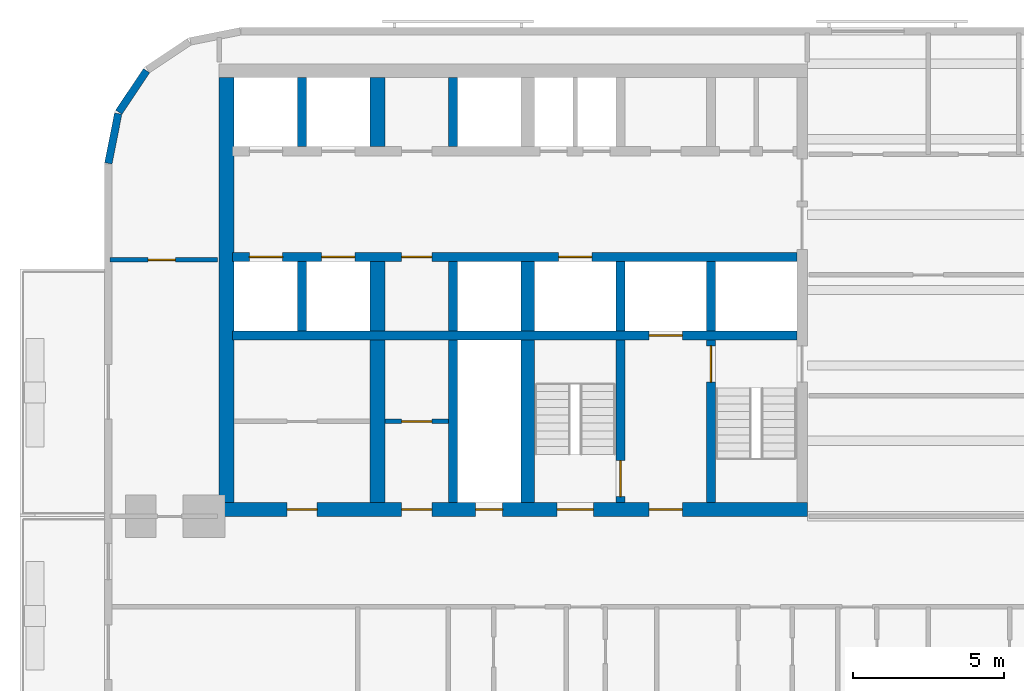
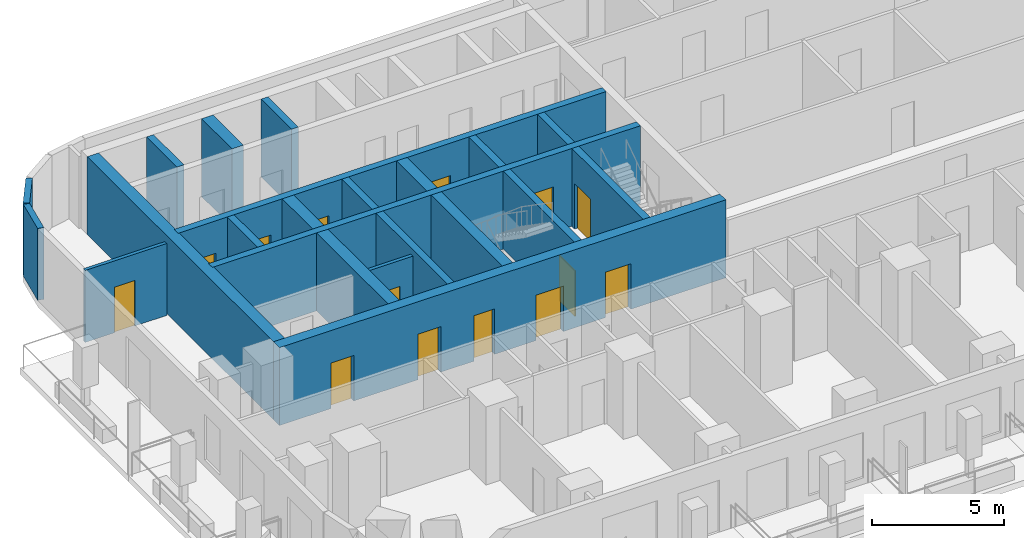
# One storey, part 3 of 15: 22 walls, 14 doors, 14 openings.
"""IFC4 building model written with IfcOpenShell, lengths in metres."""

from ifc_helpers import new_model, si_unit, direction, frame, frame_2d, origin, place, context, subcontext, project, spatial, rectangle, extrude, material, layer, layer_set, type_object, element, fill, save


model = new_model("IFC4")

# Units and contexts
model_context = context("Model", 3, precision=1e-05, world=origin(), true_north=direction((0.0, 1.0)))
body_context = subcontext(model_context, "Body", "Model", "MODEL_VIEW")
ifc_project = project(units=[si_unit("LENGTHUNIT", "METRE"), si_unit("AREAUNIT", "SQUARE_METRE"), si_unit("VOLUMEUNIT", "CUBIC_METRE"), si_unit("PLANEANGLEUNIT", "RADIAN"), si_unit("MASSUNIT", "GRAM", prefix="KILO")], contexts=[model_context])

# Site, building, storey
site_placement = place(None, origin())
site = spatial("IfcSite", under=ifc_project, at=site_placement, CompositionType="ELEMENT")
building_placement = place(site_placement, origin())
building = spatial("IfcBuilding", under=site, at=building_placement, Name="Torana Hotel and Residences", CompositionType="ELEMENT")
storey_placement = place(building_placement, frame((0.0, 0.0, 70.800048828125)))
storey = spatial("IfcBuildingStorey", under=building, at=storey_placement, Name="L17", CompositionType="ELEMENT", Elevation=70.800048828125)

# Wall, openings, doors
ifc_material_1 = material(Name="Concrete C80/95", Category="concrete")
ifc_layer_1 = layer(ifc_material_1, 0.300048828125)
ifc_layer_set_1 = layer_set([ifc_layer_1], Name="CORE WALL 300 C80/95")
wall_type_1 = type_object("IfcWallType", Name="CORE WALL 300 C80/95", PredefinedType="SHEAR", material=ifc_layer_set_1)
wall_1_placement = place(storey_placement, frame((-29.050048828125, -6.39990234375, 0.0), z_axis=(0.0, 0.0, 1.0), x_axis=(1.0, 0.0, 0.0)))
wall_1 = element("IfcWall", 1, at=wall_1_placement, inside=storey, type_object=wall_type_1, Name="Core wall W row-S", PredefinedType="SHEAR", context=body_context, shape_type="SweptSolid", body=[
    extrude(rectangle(XDim=18.699951171875, YDim=0.300048828125, at=frame_2d((9.35009765625, 0.0))), origin(), (0.0, 0.0, 1.0), 3.599853515625),
])
opening_1_placement = place(wall_1_placement, frame((2.949951171875, 0.0, 0.0)))
opening_1 = element("IfcOpeningElement", 2, at=opening_1_placement, cuts=wall_1, Name="Opening LD", PredefinedType="OPENING", context=body_context, shape_type="SweptSolid", body=[
    extrude(rectangle(XDim=1.10009765625, YDim=2.10009765625, at=frame_2d((0.550048828125, 1.050048828125))), frame((0.0, 0.159912109375, 0.0), z_axis=(0.0, -1.0, 0.0), x_axis=(1.0, 0.0, 0.0)), (0.0, 0.0, 1.0), 0.320068359375),
])
opening_2_placement = place(wall_1_placement, frame((0.550048828125, 0.0, 0.0)))
opening_2 = element("IfcOpeningElement", 3, at=opening_2_placement, cuts=wall_1, Name="Opening LD", PredefinedType="OPENING", context=body_context, shape_type="SweptSolid", body=[
    extrude(rectangle(XDim=1.10009765625, YDim=2.10009765625, at=frame_2d((0.550048828125, 1.050048828125))), frame((0.0, 0.159912109375, 0.0), z_axis=(0.0, -1.0, 0.0), x_axis=(1.0, 0.0, 0.0)), (0.0, 0.0, 1.0), 0.320068359375),
])
opening_3_placement = place(wall_1_placement, frame((10.800048828125, 0.0, 0.0)))
opening_3 = element("IfcOpeningElement", 4, at=opening_3_placement, cuts=wall_1, Name="Opening LD", PredefinedType="OPENING", context=body_context, shape_type="SweptSolid", body=[
    extrude(rectangle(XDim=1.10009765625, YDim=2.10009765625, at=frame_2d((0.550048828125, 1.050048828125))), frame((0.0, 0.159912109375, 0.0), z_axis=(0.0, -1.0, 0.0), x_axis=(1.0, 0.0, 0.0)), (0.0, 0.0, 1.0), 0.320068359375),
])
opening_4_placement = place(wall_1_placement, frame((5.60009765625, 0.0, 0.0)))
opening_4 = element("IfcOpeningElement", 5, at=opening_4_placement, cuts=wall_1, Name="Opening L17-15", PredefinedType="OPENING", context=body_context, shape_type="SweptSolid", body=[
    extrude(rectangle(XDim=1.0, YDim=2.10009765625, at=frame_2d((0.5, 1.050048828125))), frame((0.0, 0.159912109375, 0.0), z_axis=(0.0, -1.0, 0.0), x_axis=(1.0, 0.0, 0.0)), (0.0, 0.0, 1.0), 0.320068359375),
])
ifc_material_2 = material(Name="Steel S235", Category="steel")
door_type_1 = type_object("IfcDoorType", Name="CORE ROOM FIRE DOOR D14 1000x2100", OperationType="SINGLE_SWING_LEFT", PredefinedType="DOOR", material=ifc_material_2)
door_1_placement = place(opening_4_placement, frame((0.5, 0.0, 0.0), z_axis=(0.0, 0.0, 1.0), x_axis=(-1.0, 0.0, 0.0)))
door_1 = element("IfcDoor", 6, at=door_1_placement, inside=storey, type_object=door_type_1, Name="Free-M2 door L17", OperationType="SINGLE_SWING_LEFT", OverallHeight=2.10009765625, OverallWidth=1.0, PredefinedType="DOOR", context=body_context, shape_type="SweptSolid", body=[
    extrude(rectangle(XDim=1.0, YDim=2.10009765625, at=frame_2d((0.0, 1.050048828125))), frame((0.0, -0.02490234375, 0.0), z_axis=(0.0, 1.0, 0.0), x_axis=(-1.0, 0.0, 0.0)), (0.0, 0.0, 1.0), 0.050048828125),
])
fill(opening_4, door_1)
ifc_material_3 = material(Name="Stainless steel 316", Category="steel")
door_type_2 = type_object("IfcDoorType", Name="LIFT LANDING DOOR LD 1100x2100", OperationType="DOUBLE_DOOR_SLIDING", PredefinedType="USERDEFINED", material=ifc_material_3)
door_2_placement = place(opening_1_placement, origin())
door_2 = element("IfcDoor", 7, at=door_2_placement, inside=storey, type_object=door_type_2, Name="Lift landing door L3 L17", ObjectType="LIFT LANDING DOOR", OperationType="DOUBLE_DOOR_SLIDING", OverallHeight=2.10009765625, OverallWidth=1.10009765625, PredefinedType="USERDEFINED", context=body_context, shape_type="SweptSolid", body=[
    extrude(rectangle(XDim=1.10009765625, YDim=2.10009765625, at=frame_2d((0.550048828125, 1.050048828125))), frame((0.0, 0.02490234375, 0.0), z_axis=(0.0, -1.0, 0.0), x_axis=(1.0, 0.0, 0.0)), (0.0, 0.0, 1.0), 0.050048828125),
])
fill(opening_1, door_2)
door_3_placement = place(opening_2_placement, origin())
door_3 = element("IfcDoor", 8, at=door_3_placement, inside=storey, type_object=door_type_2, Name="Lift landing door L4 L17", ObjectType="LIFT LANDING DOOR", OperationType="DOUBLE_DOOR_SLIDING", OverallHeight=2.10009765625, OverallWidth=1.10009765625, PredefinedType="USERDEFINED", context=body_context, shape_type="SweptSolid", body=[
    extrude(rectangle(XDim=1.10009765625, YDim=2.10009765625, at=frame_2d((0.550048828125, 1.050048828125))), frame((0.0, 0.02490234375, 0.0), z_axis=(0.0, -1.0, 0.0), x_axis=(1.0, 0.0, 0.0)), (0.0, 0.0, 1.0), 0.050048828125),
])
fill(opening_2, door_3)
door_4_placement = place(opening_3_placement, origin())
door_4 = element("IfcDoor", 9, at=door_4_placement, inside=storey, type_object=door_type_2, Name="Lift landing door SV1 L17", ObjectType="LIFT LANDING DOOR", OperationType="DOUBLE_DOOR_SLIDING", OverallHeight=2.10009765625, OverallWidth=1.10009765625, PredefinedType="USERDEFINED", context=body_context, shape_type="SweptSolid", body=[
    extrude(rectangle(XDim=1.10009765625, YDim=2.10009765625, at=frame_2d((0.550048828125, 1.050048828125))), frame((0.0, 0.02490234375, 0.0), z_axis=(0.0, -1.0, 0.0), x_axis=(1.0, 0.0, 0.0)), (0.0, 0.0, 1.0), 0.050048828125),
])
fill(opening_3, door_4)

# Wall, opening, door
wall_2_placement = place(storey_placement, frame((-29.050048828125, -9.0, 0.0), z_axis=(0.0, 0.0, 1.0), x_axis=(1.0, 0.0, 0.0)))
wall_2 = element("IfcWall", 10, at=wall_2_placement, inside=storey, type_object=wall_type_1, Name="Core wall W band", PredefinedType="SHEAR", context=body_context, shape_type="SweptSolid", body=[
    extrude(rectangle(XDim=18.699951171875, YDim=0.300048828125, at=frame_2d((9.35009765625, 0.0))), origin(), (0.0, 0.0, 1.0), 3.599853515625),
])
opening_5_placement = place(wall_2_placement, frame((13.800048828125, 0.0, 0.0)))
opening_5 = element("IfcOpeningElement", 11, at=opening_5_placement, cuts=wall_2, Name="Opening LD", PredefinedType="OPENING", context=body_context, shape_type="SweptSolid", body=[
    extrude(rectangle(XDim=1.10009765625, YDim=2.10009765625, at=frame_2d((0.550048828125, 1.050048828125))), frame((0.0, 0.159912109375, 0.0), z_axis=(0.0, -1.0, 0.0), x_axis=(1.0, 0.0, 0.0)), (0.0, 0.0, 1.0), 0.320068359375),
])
door_5_placement = place(opening_5_placement, origin())
door_5 = element("IfcDoor", 12, at=door_5_placement, inside=storey, type_object=door_type_2, Name="Lift landing door FF1 L17", ObjectType="LIFT LANDING DOOR", OperationType="DOUBLE_DOOR_SLIDING", OverallHeight=2.10009765625, OverallWidth=1.10009765625, PredefinedType="USERDEFINED", context=body_context, shape_type="SweptSolid", body=[
    extrude(rectangle(XDim=1.10009765625, YDim=2.10009765625, at=frame_2d((0.550048828125, 1.050048828125))), frame((0.0, 0.02490234375, 0.0), z_axis=(0.0, -1.0, 0.0), x_axis=(1.0, 0.0, 0.0)), (0.0, 0.0, 1.0), 0.050048828125),
])
fill(opening_5, door_5)

# Wall
wall_3_placement = place(storey_placement, frame((-13.199951171875, -8.85009765625, 0.0), z_axis=(0.0, 0.0, 1.0), x_axis=(0.0, 1.0, 0.0)))
element("IfcWall", 13, at=wall_3_placement, inside=storey, type_object=wall_type_1, Name="Core wall W x3.05-S", PredefinedType="SHEAR", context=body_context, shape_type="SweptSolid", body=[
    extrude(rectangle(XDim=2.300048828125, YDim=0.300048828125, at=frame_2d((1.14990234375, 0.0))), origin(), (0.0, 0.0, 1.0), 3.599853515625),
])

# Wall, opening, door
wall_4_placement = place(storey_placement, frame((-13.199951171875, -14.550048828125, 0.0), z_axis=(0.0, 0.0, 1.0), x_axis=(0.0, 1.0, 0.0)))
wall_4 = element("IfcWall", 14, at=wall_4_placement, inside=storey, type_object=wall_type_1, Name="Core wall W x3.05-band", PredefinedType="SHEAR", context=body_context, shape_type="SweptSolid", body=[
    extrude(rectangle(XDim=5.400146484375, YDim=0.300048828125, at=frame_2d((2.7001953125, 0.0))), origin(), (0.0, 0.0, 1.0), 3.599853515625),
])
opening_6_placement = place(wall_4_placement, frame((4.0, 0.0, 0.0)))
opening_6 = element("IfcOpeningElement", 15, at=opening_6_placement, cuts=wall_4, Name="Opening L17-16", PredefinedType="OPENING", context=body_context, shape_type="SweptSolid", body=[
    extrude(rectangle(XDim=1.199951171875, YDim=2.10009765625, at=frame_2d((0.60009765625, 1.050048828125))), frame((0.0, 0.159912109375, 0.0), z_axis=(0.0, -1.0, 0.0), x_axis=(1.0, 0.0, 0.0)), (0.0, 0.0, 1.0), 0.320068359375),
])
ifc_material_4 = material(Name="Steel S235", Category="steel")
door_type_3 = type_object("IfcDoorType", Name="STAIR FIRE DOOR D3 1200x2100", OperationType="SINGLE_SWING_LEFT", PredefinedType="DOOR", material=ifc_material_4)
door_6_placement = place(opening_6_placement, frame((0.60009765625, 0.0, 0.0), z_axis=(0.0, 0.0, 1.0), x_axis=(-1.0, 0.0, 0.0)))
door_6 = element("IfcDoor", 16, at=door_6_placement, inside=storey, type_object=door_type_3, Name="Stair-A-lobby door L17", OperationType="SINGLE_SWING_RIGHT", OverallHeight=2.10009765625, OverallWidth=1.199951171875, PredefinedType="DOOR", context=body_context, shape_type="SweptSolid", body=[
    extrude(rectangle(XDim=1.199951171875, YDim=2.10009765625, at=frame_2d((0.0, 1.050048828125))), frame((0.0, -0.02490234375, 0.0), z_axis=(0.0, 1.0, 0.0), x_axis=(-1.0, 0.0, 0.0)), (0.0, 0.0, 1.0), 0.050048828125),
])
fill(opening_6, door_6)

# Wall
wall_5_placement = place(storey_placement, frame((-16.199951171875, -8.85009765625, 0.0), z_axis=(0.0, 0.0, 1.0), x_axis=(0.0, 1.0, 0.0)))
element("IfcWall", 17, at=wall_5_placement, inside=storey, type_object=wall_type_1, Name="Core wall W x6.05-S", PredefinedType="SHEAR", context=body_context, shape_type="SweptSolid", body=[
    extrude(rectangle(XDim=2.300048828125, YDim=0.300048828125, at=frame_2d((1.14990234375, 0.0))), origin(), (0.0, 0.0, 1.0), 3.599853515625),
])

# Wall, opening, door
wall_6_placement = place(storey_placement, frame((-16.199951171875, -14.550048828125, 0.0), z_axis=(0.0, 0.0, 1.0), x_axis=(0.0, 1.0, 0.0)))
wall_6 = element("IfcWall", 18, at=wall_6_placement, inside=storey, type_object=wall_type_1, Name="Core wall W x6.05-band", PredefinedType="SHEAR", context=body_context, shape_type="SweptSolid", body=[
    extrude(rectangle(XDim=5.400146484375, YDim=0.300048828125, at=frame_2d((2.7001953125, 0.0))), origin(), (0.0, 0.0, 1.0), 3.599853515625),
])
opening_7_placement = place(wall_6_placement, frame((0.199951171875, 0.0, 0.0)))
opening_7 = element("IfcOpeningElement", 19, at=opening_7_placement, cuts=wall_6, Name="Opening L17-17", PredefinedType="OPENING", context=body_context, shape_type="SweptSolid", body=[
    extrude(rectangle(XDim=1.199951171875, YDim=2.10009765625, at=frame_2d((0.60009765625, 1.050048828125))), frame((0.0, 0.159912109375, 0.0), z_axis=(0.0, -1.0, 0.0), x_axis=(1.0, 0.0, 0.0)), (0.0, 0.0, 1.0), 0.320068359375),
])
door_7_placement = place(opening_7_placement, origin())
door_7 = element("IfcDoor", 20, at=door_7_placement, inside=storey, type_object=door_type_3, Name="Stair-B-lobby door L17", OperationType="SINGLE_SWING_RIGHT", OverallHeight=2.10009765625, OverallWidth=1.199951171875, PredefinedType="DOOR", context=body_context, shape_type="SweptSolid", body=[
    extrude(rectangle(XDim=1.199951171875, YDim=2.10009765625, at=frame_2d((0.60009765625, 1.050048828125))), frame((0.0, 0.02490234375, 0.0), z_axis=(0.0, -1.0, 0.0), x_axis=(1.0, 0.0, 0.0)), (0.0, 0.0, 1.0), 0.050048828125),
])
fill(opening_7, door_7)

# Walls
for number, where, z_axis, x_axis, name in (
    (21, (-21.75, -2.75, 0.0), (0.0, 0.0, 1.0), (0.0, 1.0, 0.0), "Core wall W mm-N"),
    (22, (-21.75, -8.85009765625, 0.0), (0.0, 0.0, 1.0), (0.0, 1.0, 0.0), "Core wall W mm-S"),
):
    element("IfcWall", number, at=place(storey_placement, frame(where, z_axis=z_axis, x_axis=x_axis)), inside=storey, type_object=wall_type_1, Name=name, PredefinedType="SHEAR", context=body_context, shape_type="SweptSolid", body=[
        extrude(rectangle(XDim=2.300048828125, YDim=0.300048828125, at=frame_2d((1.14990234375, 0.0))), origin(), (0.0, 0.0, 1.0), 3.599853515625),
    ])
wall_7_placement = place(storey_placement, frame((-21.75, -14.550048828125, 0.0), z_axis=(0.0, 0.0, 1.0), x_axis=(0.0, 1.0, 0.0)))
element("IfcWall", 23, at=wall_7_placement, inside=storey, type_object=wall_type_1, Name="Core wall W mm-band", PredefinedType="SHEAR", context=body_context, shape_type="SweptSolid", body=[
    extrude(rectangle(XDim=5.400146484375, YDim=0.300048828125, at=frame_2d((2.7001953125, 0.0))), origin(), (0.0, 0.0, 1.0), 3.599853515625),
])
for number, where, z_axis, x_axis, name in (
    (24, (-26.75, -2.75, 0.0), (0.0, 0.0, 1.0), (0.0, 1.0, 0.0), "Core wall W ll-N"),
    (25, (-26.75, -8.85009765625, 0.0), (0.0, 0.0, 1.0), (0.0, 1.0, 0.0), "Core wall W ll-S"),
):
    element("IfcWall", number, at=place(storey_placement, frame(where, z_axis=z_axis, x_axis=x_axis)), inside=storey, type_object=wall_type_1, Name=name, PredefinedType="SHEAR", context=body_context, shape_type="SweptSolid", body=[
        extrude(rectangle(XDim=2.300048828125, YDim=0.300048828125, at=frame_2d((1.14990234375, 0.0))), origin(), (0.0, 0.0, 1.0), 3.599853515625),
    ])

# Wall, openings, doors
ifc_material_5 = material(Name="Concrete C80/95", Category="concrete")
ifc_layer_2 = layer(ifc_material_5, 0.449951171875)
ifc_layer_set_2 = layer_set([ifc_layer_2], Name="CORE WALL 450 C80/95")
wall_type_2 = type_object("IfcWallType", Name="CORE WALL 450 C80/95", PredefinedType="SHEAR", material=ifc_layer_set_2)
wall_8_placement = place(storey_placement, frame((-29.5, -14.77490234375, 0.0), z_axis=(0.0, 0.0, 1.0), x_axis=(1.0, 0.0, 0.0)))
wall_8 = element("IfcWall", 26, at=wall_8_placement, inside=storey, type_object=wall_type_2, Name="Core wall W front", PredefinedType="SHEAR", context=body_context, shape_type="SweptSolid", body=[
    extrude(rectangle(XDim=19.5, YDim=0.449951171875, at=frame_2d((9.75, 0.0))), origin(), (0.0, 0.0, 1.0), 3.599853515625),
])
opening_8_placement = place(wall_8_placement, frame((11.199951171875, 0.0, 0.0)))
opening_8 = element("IfcOpeningElement", 27, at=opening_8_placement, cuts=wall_8, Name="Opening L17-04", PredefinedType="OPENING", context=body_context, shape_type="SweptSolid", body=[
    extrude(rectangle(XDim=1.199951171875, YDim=2.10009765625, at=frame_2d((0.60009765625, 1.050048828125))), frame((0.0, 0.23486328125, 0.0), z_axis=(0.0, -1.0, 0.0), x_axis=(1.0, 0.0, 0.0)), (0.0, 0.0, 1.0), 0.469970703125),
])
opening_9_placement = place(wall_8_placement, frame((14.25, 0.0, 0.0)))
opening_9 = element("IfcOpeningElement", 28, at=opening_9_placement, cuts=wall_8, Name="Opening L17-05", PredefinedType="OPENING", context=body_context, shape_type="SweptSolid", body=[
    extrude(rectangle(XDim=1.10009765625, YDim=2.10009765625, at=frame_2d((0.550048828125, 1.050048828125))), frame((0.0, 0.23486328125, 0.0), z_axis=(0.0, -1.0, 0.0), x_axis=(1.0, 0.0, 0.0)), (0.0, 0.0, 1.0), 0.469970703125),
])
opening_10_placement = place(wall_8_placement, frame((8.5, 0.0, 0.0)))
opening_10 = element("IfcOpeningElement", 29, at=opening_10_placement, cuts=wall_8, Name="Opening L17-06", PredefinedType="OPENING", context=body_context, shape_type="SweptSolid", body=[
    extrude(rectangle(XDim=0.89990234375, YDim=2.10009765625, at=frame_2d((0.449951171875, 1.050048828125))), frame((0.0, 0.23486328125, 0.0), z_axis=(0.0, -1.0, 0.0), x_axis=(1.0, 0.0, 0.0)), (0.0, 0.0, 1.0), 0.469970703125),
])
opening_11_placement = place(wall_8_placement, frame((6.050048828125, 0.0, 0.0)))
opening_11 = element("IfcOpeningElement", 30, at=opening_11_placement, cuts=wall_8, Name="Opening L17-07", PredefinedType="OPENING", context=body_context, shape_type="SweptSolid", body=[
    extrude(rectangle(XDim=1.0, YDim=2.10009765625, at=frame_2d((0.5, 1.050048828125))), frame((0.0, 0.23486328125, 0.0), z_axis=(0.0, -1.0, 0.0), x_axis=(1.0, 0.0, 0.0)), (0.0, 0.0, 1.0), 0.469970703125),
])
opening_12_placement = place(wall_8_placement, frame((2.25, 0.0, 0.0)))
opening_12 = element("IfcOpeningElement", 31, at=opening_12_placement, cuts=wall_8, Name="Opening L17-08", PredefinedType="OPENING", context=body_context, shape_type="SweptSolid", body=[
    extrude(rectangle(XDim=1.0, YDim=2.10009765625, at=frame_2d((0.5, 1.050048828125))), frame((0.0, 0.23486328125, 0.0), z_axis=(0.0, -1.0, 0.0), x_axis=(1.0, 0.0, 0.0)), (0.0, 0.0, 1.0), 0.469970703125),
])
door_8_placement = place(opening_11_placement, origin())
door_8 = element("IfcDoor", 32, at=door_8_placement, inside=storey, type_object=door_type_1, Name="M-Room-B door L17", OperationType="SINGLE_SWING_RIGHT", OverallHeight=2.10009765625, OverallWidth=1.0, PredefinedType="DOOR", context=body_context, shape_type="SweptSolid", body=[
    extrude(rectangle(XDim=1.0, YDim=2.10009765625, at=frame_2d((0.5, 1.050048828125))), frame((0.0, 0.02490234375, 0.0), z_axis=(0.0, -1.0, 0.0), x_axis=(1.0, 0.0, 0.0)), (0.0, 0.0, 1.0), 0.050048828125),
])
fill(opening_11, door_8)
door_9_placement = place(opening_12_placement, origin())
door_9 = element("IfcDoor", 33, at=door_9_placement, inside=storey, type_object=door_type_1, Name="L-B door L17", OperationType="SINGLE_SWING_RIGHT", OverallHeight=2.10009765625, OverallWidth=1.0, PredefinedType="DOOR", context=body_context, shape_type="SweptSolid", body=[
    extrude(rectangle(XDim=1.0, YDim=2.10009765625, at=frame_2d((0.5, 1.050048828125))), frame((0.0, 0.02490234375, 0.0), z_axis=(0.0, -1.0, 0.0), x_axis=(1.0, 0.0, 0.0)), (0.0, 0.0, 1.0), 0.050048828125),
])
fill(opening_12, door_9)
ifc_material_6 = material(Name="Steel S235", Category="steel")
door_type_4 = type_object("IfcDoorType", Name="FIRE-FIGHTING LOBBY DOOR D8 1100x2100", OperationType="SINGLE_SWING_LEFT", PredefinedType="DOOR", material=ifc_material_6)
door_10_placement = place(opening_9_placement, origin())
door_10 = element("IfcDoor", 34, at=door_10_placement, inside=storey, type_object=door_type_4, Name="FF-lobby door L17", OperationType="SINGLE_SWING_RIGHT", OverallHeight=2.10009765625, OverallWidth=1.10009765625, PredefinedType="DOOR", context=body_context, shape_type="SweptSolid", body=[
    extrude(rectangle(XDim=1.10009765625, YDim=2.10009765625, at=frame_2d((0.550048828125, 1.050048828125))), frame((0.0, 0.02490234375, 0.0), z_axis=(0.0, -1.0, 0.0), x_axis=(1.0, 0.0, 0.0)), (0.0, 0.0, 1.0), 0.050048828125),
])
fill(opening_9, door_10)
ifc_material_7 = material(Name="Steel S235", Category="steel")
door_type_5 = type_object("IfcDoorType", Name="RISER ACCESS DOOR D5 900x2100", OperationType="SINGLE_SWING_LEFT", PredefinedType="DOOR", material=ifc_material_7)
door_11_placement = place(opening_10_placement, origin())
door_11 = element("IfcDoor", 35, at=door_11_placement, inside=storey, type_object=door_type_5, Name="M-Riser door L17", OperationType="SINGLE_SWING_RIGHT", OverallHeight=2.10009765625, OverallWidth=0.89990234375, PredefinedType="DOOR", context=body_context, shape_type="SweptSolid", body=[
    extrude(rectangle(XDim=0.89990234375, YDim=2.10009765625, at=frame_2d((0.449951171875, 1.050048828125))), frame((0.0, 0.02490234375, 0.0), z_axis=(0.0, -1.0, 0.0), x_axis=(1.0, 0.0, 0.0)), (0.0, 0.0, 1.0), 0.050048828125),
])
fill(opening_10, door_11)
door_12_placement = place(opening_8_placement, origin())
door_12 = element("IfcDoor", 36, at=door_12_placement, inside=storey, type_object=door_type_3, Name="Stair-B door L17", OperationType="SINGLE_SWING_RIGHT", OverallHeight=2.10009765625, OverallWidth=1.199951171875, PredefinedType="DOOR", context=body_context, shape_type="SweptSolid", body=[
    extrude(rectangle(XDim=1.199951171875, YDim=2.10009765625, at=frame_2d((0.60009765625, 1.050048828125))), frame((0.0, 0.02490234375, 0.0), z_axis=(0.0, -1.0, 0.0), x_axis=(1.0, 0.0, 0.0)), (0.0, 0.0, 1.0), 0.050048828125),
])
fill(opening_8, door_12)

# Walls
wall_9_placement = place(storey_placement, frame((-19.27490234375, -8.85009765625, 0.0), z_axis=(0.0, 0.0, 1.0), x_axis=(0.0, 1.0, 0.0)))
element("IfcWall", 37, at=wall_9_placement, inside=storey, type_object=wall_type_2, Name="Core wall W hm-S", PredefinedType="SHEAR", context=body_context, shape_type="SweptSolid", body=[
    extrude(rectangle(XDim=2.300048828125, YDim=0.449951171875, at=frame_2d((1.14990234375, 0.0))), origin(), (0.0, 0.0, 1.0), 3.599853515625),
])
wall_10_placement = place(storey_placement, frame((-19.27490234375, -14.550048828125, 0.0), z_axis=(0.0, 0.0, 1.0), x_axis=(0.0, 1.0, 0.0)))
element("IfcWall", 38, at=wall_10_placement, inside=storey, type_object=wall_type_2, Name="Core wall W hm-band", PredefinedType="SHEAR", context=body_context, shape_type="SweptSolid", body=[
    extrude(rectangle(XDim=5.400146484375, YDim=0.449951171875, at=frame_2d((2.7001953125, 0.0))), origin(), (0.0, 0.0, 1.0), 3.599853515625),
])
ifc_material_8 = material(Name="Concrete C80/95", Category="concrete")
ifc_layer_3 = layer(ifc_material_8, 0.5)
ifc_layer_set_3 = layer_set([ifc_layer_3], Name="CORE WALL 500 C80/95")
wall_type_3 = type_object("IfcWallType", Name="CORE WALL 500 C80/95", PredefinedType="SHEAR", material=ifc_layer_set_3)
wall_11_placement = place(storey_placement, frame((-29.25, -14.550048828125, 0.0), z_axis=(0.0, 0.0, 1.0), x_axis=(0.0, 1.0, 0.0)))
element("IfcWall", 39, at=wall_11_placement, inside=storey, type_object=wall_type_3, Name="Core wall W outer", PredefinedType="SHEAR", context=body_context, shape_type="SweptSolid", body=[
    extrude(rectangle(XDim=14.10009765625, YDim=0.5, at=frame_2d((7.050048828125, 0.0))), origin(), (0.0, 0.0, 1.0), 3.599853515625),
])
for number, where, z_axis, x_axis, name in (
    (40, (-24.25, -2.75, 0.0), (0.0, 0.0, 1.0), (0.0, 1.0, 0.0), "Core wall W ml-N"),
    (41, (-24.25, -8.85009765625, 0.0), (0.0, 0.0, 1.0), (0.0, 1.0, 0.0), "Core wall W ml-S"),
):
    element("IfcWall", number, at=place(storey_placement, frame(where, z_axis=z_axis, x_axis=x_axis)), inside=storey, type_object=wall_type_3, Name=name, PredefinedType="SHEAR", context=body_context, shape_type="SweptSolid", body=[
        extrude(rectangle(XDim=2.300048828125, YDim=0.5, at=frame_2d((1.14990234375, 0.0))), origin(), (0.0, 0.0, 1.0), 3.599853515625),
    ])
wall_12_placement = place(storey_placement, frame((-24.25, -14.550048828125, 0.0), z_axis=(0.0, 0.0, 1.0), x_axis=(0.0, 1.0, 0.0)))
element("IfcWall", 42, at=wall_12_placement, inside=storey, type_object=wall_type_3, Name="Core wall W ml-band", PredefinedType="SHEAR", context=body_context, shape_type="SweptSolid", body=[
    extrude(rectangle(XDim=5.400146484375, YDim=0.5, at=frame_2d((2.7001953125, 0.0))), origin(), (0.0, 0.0, 1.0), 3.599853515625),
])
ifc_material_9 = material(Name="Black aluminium composite panel", Category="aluminium")
ifc_layer_4 = layer(ifc_material_9, 0.00390625, Name="Cladding", Category="cladding")
ifc_material_10 = material(Name="Ventilated air cavity")
ifc_layer_5 = layer(ifc_material_10, 0.0400390625, Name="Ventilated cavity", Category="cavity")
ifc_material_11 = material(Name="Mineral wool insulation")
ifc_layer_6 = layer(ifc_material_11, 0.090087890625, Name="Insulation", Category="insulation")
ifc_material_12 = material(Name="Steel S280GD", Category="steel")
ifc_layer_7 = layer(ifc_material_12, 0.092041015625, Name="Steel stud frame", Category="structure")
ifc_material_13 = material(Name="Fire rated plasterboard")
ifc_layer_8 = layer(ifc_material_13, 0.011962890625, Name="Inner board", Category="finish")
ifc_layer_9 = layer(ifc_material_13, 0.011962890625, Name="Second board", Category="finish")
ifc_layer_set_4 = layer_set([ifc_layer_4, ifc_layer_5, ifc_layer_6, ifc_layer_7, ifc_layer_8, ifc_layer_9], Name="EW1 EXTERNAL WALL BLACK METAL CLAD 250")
wall_type_4 = type_object("IfcWallType", Name="EW1 EXTERNAL WALL BLACK METAL CLAD 250", PredefinedType="SOLIDWALL", material=ifc_layer_set_4)
wall_13_placement = place(storey_placement, frame((-31.90576171875, -0.228759765625, 0.0), z_axis=(0.0, 0.0, 1.0), x_axis=(-0.55555029066, -0.831482937015, 0.0)))
element("IfcWall", 43, at=wall_13_placement, inside=storey, type_object=wall_type_4, Name="External wall L17 e0.7", PredefinedType="SOLIDWALL", context=body_context, shape_type="SweptSolid", body=[
    extrude(rectangle(XDim=1.65625, YDim=0.25, at=frame_2d((0.828125, 0.0))), origin(), (0.0, 0.0, 1.0), 3.320068359375),
])
wall_14_placement = place(storey_placement, frame((-32.844482421875, -1.651123046875, 0.0), z_axis=(0.0, 0.0, 1.0), x_axis=(-0.19513878023, -0.980775640221, 0.0)))
element("IfcWall", 44, at=wall_14_placement, inside=storey, type_object=wall_type_4, Name="External wall L17 e0.8", PredefinedType="SOLIDWALL", context=body_context, shape_type="SweptSolid", body=[
    extrude(rectangle(XDim=1.681396484375, YDim=0.25, at=frame_2d((0.8408203125, 0.0))), origin(), (0.0, 0.0, 1.0), 3.320068359375),
])

# Wall, opening, door
ifc_material_14 = material(Name="Gypsum plaster")
ifc_layer_10 = layer(ifc_material_14, 0.014892578125, Name="Plaster", Category="finish")
ifc_material_15 = material(Name="Concrete blockwork", Category="masonry")
ifc_layer_11 = layer(ifc_material_15, 0.1201171875, Name="Blockwork", Category="structure")
ifc_layer_12 = layer(ifc_material_14, 0.014892578125, Name="Plaster", Category="finish")
ifc_layer_set_5 = layer_set([ifc_layer_10, ifc_layer_11, ifc_layer_12], Name="FIRE PARTITION 150 BLOCKWORK")
wall_type_5 = type_object("IfcWallType", Name="FIRE PARTITION 150 BLOCKWORK", PredefinedType="PARTITIONING", material=ifc_layer_set_5)
wall_15_placement = place(storey_placement, frame((-24.0, -11.85009765625, 0.0), z_axis=(0.0, 0.0, 1.0), x_axis=(1.0, 0.0, 0.0)))
wall_15 = element("IfcWall", 45, at=wall_15_placement, inside=storey, type_object=wall_type_5, Name="Core partition L17", PredefinedType="PARTITIONING", context=body_context, shape_type="SweptSolid", body=[
    extrude(rectangle(XDim=2.10009765625, YDim=0.14990234375, at=frame_2d((1.050048828125, 0.0))), origin(), (0.0, 0.0, 1.0), 3.300048828125),
])
opening_13_placement = place(wall_15_placement, frame((0.550048828125, 0.0, 0.0)))
opening_13 = element("IfcOpeningElement", 46, at=opening_13_placement, cuts=wall_15, Name="Opening L17-35", PredefinedType="OPENING", context=body_context, shape_type="SweptSolid", body=[
    extrude(rectangle(XDim=1.0, YDim=2.10009765625, at=frame_2d((0.5, 1.050048828125))), frame((0.0, 0.0849609375, 0.0), z_axis=(0.0, -1.0, 0.0), x_axis=(1.0, 0.0, 0.0)), (0.0, 0.0, 1.0), 0.169921875),
])
door_13_placement = place(opening_13_placement, origin())
door_13 = element("IfcDoor", 47, at=door_13_placement, inside=storey, type_object=door_type_1, Name="Plant room door L17", OperationType="SINGLE_SWING_RIGHT", OverallHeight=2.10009765625, OverallWidth=1.0, PredefinedType="DOOR", context=body_context, shape_type="SweptSolid", body=[
    extrude(rectangle(XDim=1.0, YDim=2.10009765625, at=frame_2d((0.5, 1.050048828125))), frame((0.0, 0.02490234375, 0.0), z_axis=(0.0, -1.0, 0.0), x_axis=(1.0, 0.0, 0.0)), (0.0, 0.0, 1.0), 0.050048828125),
])
fill(opening_13, door_13)

ifc_material_16 = material(Name="Gypsum plasterboard")
ifc_layer_13 = layer(ifc_material_16, 0.012451171875, Name="Plasterboard", Category="finish")
ifc_layer_14 = layer(ifc_material_16, 0.012451171875, Name="Plasterboard", Category="finish")
ifc_layer_15 = layer(ifc_material_12, 0.10009765625, Name="Steel studs with mineral wool", Category="insulation")
ifc_layer_16 = layer(ifc_material_16, 0.012451171875, Name="Plasterboard", Category="finish")
ifc_layer_17 = layer(ifc_material_16, 0.012451171875, Name="Plasterboard", Category="finish")
ifc_layer_set_6 = layer_set([ifc_layer_13, ifc_layer_14, ifc_layer_15, ifc_layer_16, ifc_layer_17], Name="PARTITION 150 PLASTERBOARD")
wall_type_6 = type_object("IfcWallType", Name="PARTITION 150 PLASTERBOARD", PredefinedType="PARTITIONING", material=ifc_layer_set_6)
wall_16_placement = place(storey_placement, frame((-33.1201171875, -6.5, 0.0), z_axis=(0.0, 0.0, 1.0), x_axis=(1.0, 0.0, 0.0)))
wall_16 = element("IfcWall", 48, at=wall_16_placement, inside=storey, type_object=wall_type_6, Name="Partition L17", PredefinedType="PARTITIONING", context=body_context, shape_type="SweptSolid", body=[
    extrude(rectangle(XDim=3.570068359375, YDim=0.14990234375, at=frame_2d((1.78515625, 0.0))), origin(), (0.0, 0.0, 1.0), 3.320068359375),
])
opening_14_placement = place(wall_16_placement, frame((1.27001953125, 0.0, 0.0)))
opening_14 = element("IfcOpeningElement", 49, at=opening_14_placement, cuts=wall_16, Name="Opening L17-86", PredefinedType="OPENING", context=body_context, shape_type="SweptSolid", body=[
    extrude(rectangle(XDim=0.89990234375, YDim=2.10009765625, at=frame_2d((0.449951171875, 1.050048828125))), frame((0.0, 0.0849609375, 0.0), z_axis=(0.0, -1.0, 0.0), x_axis=(1.0, 0.0, 0.0)), (0.0, 0.0, 1.0), 0.169921875),
])
ifc_material_17 = material(Name="Timber door, oiled ash", Category="wood")
door_type_6 = type_object("IfcDoorType", Name="ROOM DOOR D7 900x2100", OperationType="SINGLE_SWING_LEFT", PredefinedType="DOOR", material=ifc_material_17)
door_14_placement = place(opening_14_placement, origin())
door_14 = element("IfcDoor", 50, at=door_14_placement, inside=storey, type_object=door_type_6, Name="Door L17", OperationType="SINGLE_SWING_RIGHT", OverallHeight=2.10009765625, OverallWidth=0.89990234375, PredefinedType="DOOR", context=body_context, shape_type="SweptSolid", body=[
    extrude(rectangle(XDim=0.89990234375, YDim=2.10009765625, at=frame_2d((0.449951171875, 1.050048828125))), frame((0.0, 0.02490234375, 0.0), z_axis=(0.0, -1.0, 0.0), x_axis=(1.0, 0.0, 0.0)), (0.0, 0.0, 1.0), 0.050048828125),
])
fill(opening_14, door_14)

save(model, "model.ifc")
